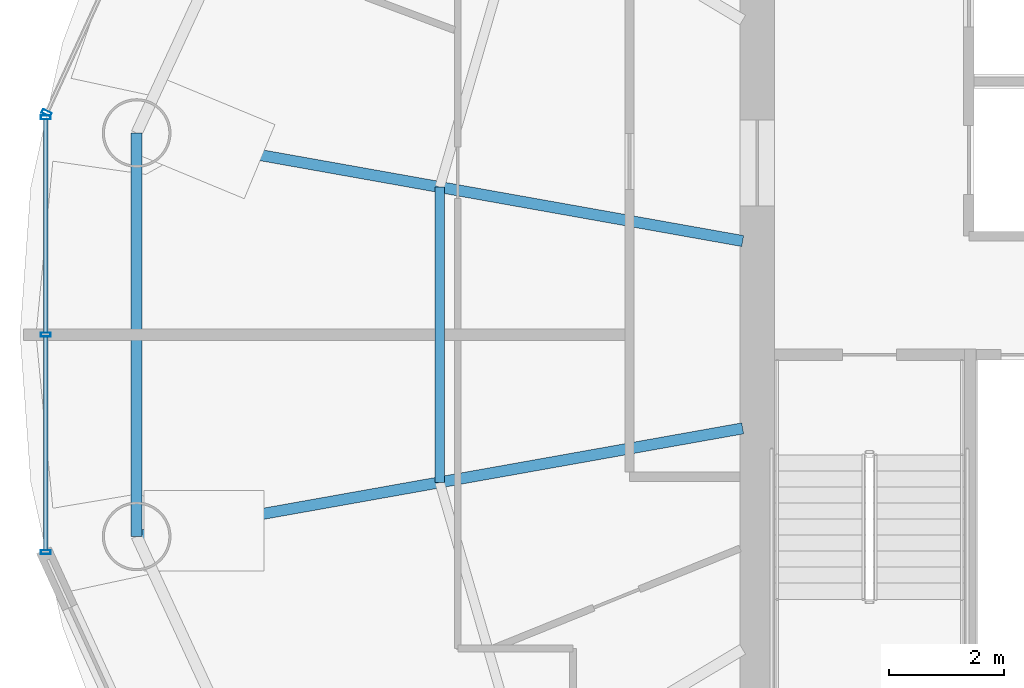
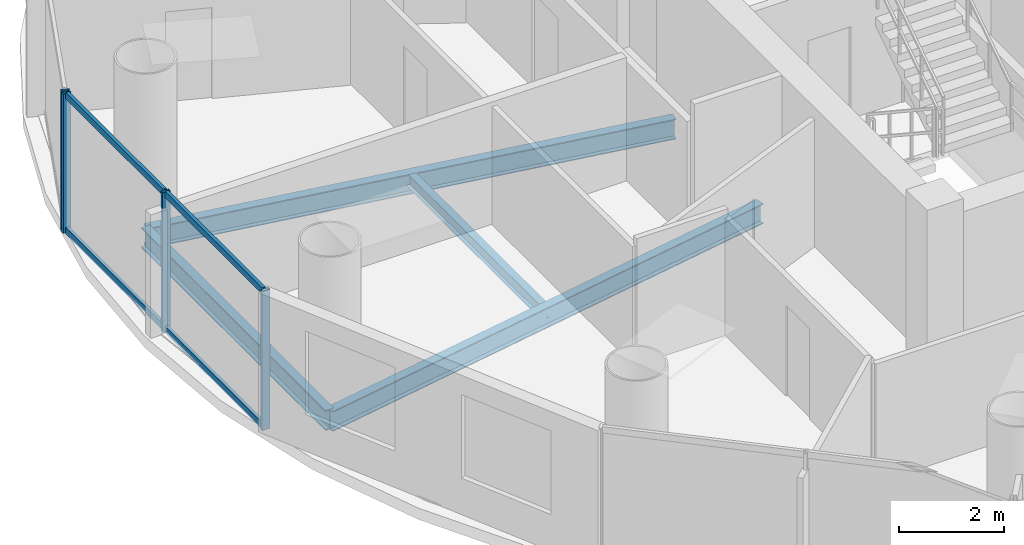
# One storey, part 7 of 26: 8 members, 4 beams, 2 elements without a shape of their own.
"""IFC4 building model written with IfcOpenShell, lengths in metres."""

from ifc_helpers import new_model, si_unit, direction, frame, origin, origin_2d, place, context, subcontext, project, spatial, hollow_rectangle, i_section, extrude, source, transform, mapped, material, material_profile, profile_set, type_object, element, aggregate, save


model = new_model("IFC4")

# Units and contexts
model_context = context("Model", 3, precision=1e-05, world=origin(), true_north=direction((-0.2419218956, 0.970295726276)))
body_context = subcontext(model_context, "Body", "Model", "MODEL_VIEW")
ifc_project = project(units=[si_unit("LENGTHUNIT", "METRE"), si_unit("AREAUNIT", "SQUARE_METRE"), si_unit("VOLUMEUNIT", "CUBIC_METRE"), si_unit("PLANEANGLEUNIT", "RADIAN"), si_unit("MASSUNIT", "GRAM", prefix="KILO")], contexts=[model_context])

# Site, building, storey
site_placement = place(None, origin())
site = spatial("IfcSite", under=ifc_project, at=site_placement, CompositionType="ELEMENT")
building_placement = place(site_placement, origin())
building = spatial("IfcBuilding", under=site, at=building_placement, Name="Cobrevalo Terracotta Tower", CompositionType="ELEMENT")
storey_placement = place(building_placement, frame((0.0, 0.0, 239.300048828125)))
storey = spatial("IfcBuildingStorey", under=building, at=storey_placement, Name="L63", CompositionType="ELEMENT", Elevation=239.300048828125)

# Beams
ifc_material_1 = material(Name="Steel S355", Category="steel")
ifc_material_profile_1 = material_profile(ifc_material_1, i_section(OverallWidth=0.194091796875, OverallDepth=0.468994140625, WebThickness=0.011474609375, FlangeThickness=0.0205078125, at=origin_2d()), Name="W 460x106")
ifc_profile_set_1 = profile_set([ifc_material_profile_1], Name="Steel S355")
beam_type_1 = type_object("IfcBeamType", Name="Structural Beam W 460x106 (Steel S355)", PredefinedType="BEAM", material=ifc_profile_set_1)
for number, where, z_axis, x_axis, name in (
    (1, (18.237060546875, 30.3212890625, -0.49951171875), (0.98449712063, -0.175400739656, 0.0), (0.175400739656, 0.98449712063, 0.0), "L63 radial floor girder 08"),
    (2, (18.237060546875, 23.278564453125, -0.49951171875), (0.984493198547, 0.175422752274, 0.0), (-0.175422752274, 0.984493198547, 0.0), "L63 radial floor girder 09"),
):
    element("IfcBeam", number, at=place(storey_placement, frame(where, z_axis=z_axis, x_axis=x_axis)), inside=storey, type_object=beam_type_1, Name=name, PredefinedType="BEAM", context=body_context, shape_type="SweptSolid", body=[
        extrude(i_section(OverallWidth=0.194091796875, OverallDepth=0.468994140625, WebThickness=0.011474609375, FlangeThickness=0.0205078125, at=origin_2d()), origin(), (0.0, 0.0, 1.0), 10.749755859375),
    ])
ifc_material_profile_2 = material_profile(ifc_material_1, i_section(OverallWidth=0.1650390625, OverallDepth=0.31005859375, WebThickness=0.005859375, FlangeThickness=0.009765625, at=origin_2d()), Name="W 310x38.7")
ifc_profile_set_2 = profile_set([ifc_material_profile_2], Name="Steel S355")
beam_type_2 = type_object("IfcBeamType", Name="Structural Joist W 310x38.7 (Steel S355)", PredefinedType="JOIST", material=ifc_profile_set_2)
beam_1_placement = place(storey_placement, frame((23.528564453125, 29.378662109375, -0.420166015625), z_axis=(0.0, -1.0, 0.0), x_axis=(1.0, 0.0, 0.0)))
element("IfcBeam", 3, at=beam_1_placement, inside=storey, type_object=beam_type_2, Name="L63 circumferential secondary floor joist 08", PredefinedType="JOIST", context=body_context, shape_type="SweptSolid", body=[
    extrude(i_section(OverallWidth=0.1650390625, OverallDepth=0.31005859375, WebThickness=0.005859375, FlangeThickness=0.009765625, at=origin_2d()), origin(), (0.0, 0.0, 1.0), 5.1572265625),
])
ifc_material_profile_3 = material_profile(ifc_material_1, i_section(OverallWidth=0.194091796875, OverallDepth=0.468994140625, WebThickness=0.011474609375, FlangeThickness=0.0205078125, at=origin_2d()), Name="W 460x106")
ifc_profile_set_3 = profile_set([ifc_material_profile_3], Name="Steel S355")
beam_type_3 = type_object("IfcBeamType", Name="Structural Spandrel W 460x106 (Steel S355)", PredefinedType="SPANDREL", material=ifc_profile_set_3)
beam_2_placement = place(storey_placement, frame((18.237060546875, 30.3212890625, -0.49951171875), z_axis=(0.0, -1.0, 0.0), x_axis=(1.0, 0.0, 0.0)))
element("IfcBeam", 4, at=beam_2_placement, inside=storey, type_object=beam_type_3, Name="L63 perimeter ring spandrel 08", PredefinedType="SPANDREL", context=body_context, shape_type="SweptSolid", body=[
    extrude(i_section(OverallWidth=0.194091796875, OverallDepth=0.468994140625, WebThickness=0.011474609375, FlangeThickness=0.0205078125, at=origin_2d()), origin(), (0.0, 0.0, 1.0), 7.042724609375),
])

# Curtain wall, members
ifc_material_2 = material(Name="Anodized aluminium", Category="aluminium")
curtain_wall_type = type_object("IfcCurtainWallType", Name="Mid-tower high-wind unitised curtain wall CW-U2", PredefinedType="NOTDEFINED", material=ifc_material_2)
curtain_wall_1_placement = place(storey_placement, origin())
curtain_wall_1 = element("IfcCurtainWall", 5, at=curtain_wall_1_placement, inside=storey, type_object=curtain_wall_type, Name="L63 curtain wall CW-L63-S08", PredefinedType="NOTDEFINED")
ifc_material_profile_4 = material_profile(ifc_material_2, hollow_rectangle(XDim=0.074951171875, YDim=0.14990234375, WallThickness=0.00439453125, at=origin_2d()), Name="CWT 75x150")
ifc_profile_set_4 = profile_set([ifc_material_profile_4], Name="Anodized aluminium")
member_type_1 = type_object("IfcMemberType", Name="Tower unitised aluminium transom 75x150", PredefinedType="USERDEFINED", material=ifc_profile_set_4)
shared_shape_1 = source(origin(), body_context, "Body", "SweptSolid", [
    extrude(hollow_rectangle(XDim=0.074951171875, YDim=0.14990234375, WallThickness=0.00439453125, at=origin_2d()), origin(), (0.0, 0.0, 1.0), 3.71728515625),
])
member_1_placement = place(storey_placement, frame((16.648193359375, 30.557373046875, 0.050048828125), z_axis=(0.0, -1.0, 0.0), x_axis=(1.0, 0.0, 0.0)))
member_1 = element("IfcMember", 6, at=member_1_placement, type_object=member_type_1, Name="CW-L63-S08 transom B01-T1", ObjectType="TRANSOM", PredefinedType="USERDEFINED", context=body_context, shape_type="MappedRepresentation", body=[
    mapped(shared_shape_1, transform((0.0, 0.0, 0.0), scale=1.0)),
])
member_2_placement = place(storey_placement, frame((16.648193359375, 30.557373046875, 3.199951171875), z_axis=(0.0, -1.0, 0.0), x_axis=(1.0, 0.0, 0.0)))
member_2 = element("IfcMember", 7, at=member_2_placement, type_object=member_type_1, Name="CW-L63-S08 transom B01-T2", ObjectType="TRANSOM", PredefinedType="USERDEFINED", context=body_context, shape_type="MappedRepresentation", body=[
    mapped(shared_shape_1, transform((0.0, 0.0, 0.0), scale=1.0)),
])
shared_shape_2 = source(origin(), body_context, "Body", "SweptSolid", [
    extrude(hollow_rectangle(XDim=0.074951171875, YDim=0.14990234375, WallThickness=0.00439453125, at=origin_2d()), origin(), (0.0, 0.0, 1.0), 3.717529296875),
])
member_3_placement = place(storey_placement, frame((16.648193359375, 26.760009765625, 0.050048828125), z_axis=(0.0, -1.0, 0.0), x_axis=(1.0, 0.0, 0.0)))
member_3 = element("IfcMember", 8, at=member_3_placement, type_object=member_type_1, Name="CW-L63-S08 transom B02-T1", ObjectType="TRANSOM", PredefinedType="USERDEFINED", context=body_context, shape_type="MappedRepresentation", body=[
    mapped(shared_shape_2, transform((0.0, 0.0, 0.0), scale=1.0)),
])
member_4_placement = place(storey_placement, frame((16.648193359375, 26.760009765625, 3.199951171875), z_axis=(0.0, -1.0, 0.0), x_axis=(1.0, 0.0, 0.0)))
member_4 = element("IfcMember", 9, at=member_4_placement, type_object=member_type_1, Name="CW-L63-S08 transom B02-T2", ObjectType="TRANSOM", PredefinedType="USERDEFINED", context=body_context, shape_type="MappedRepresentation", body=[
    mapped(shared_shape_2, transform((0.0, 0.0, 0.0), scale=1.0)),
])

# Curtain wall, member
curtain_wall_2_placement = place(storey_placement, origin())
curtain_wall_2 = element("IfcCurtainWall", 10, at=curtain_wall_2_placement, inside=storey, type_object=curtain_wall_type, Name="L63 curtain wall CW-L63-S07", PredefinedType="NOTDEFINED")
ifc_material_profile_5 = material_profile(ifc_material_2, hollow_rectangle(XDim=0.070068359375, YDim=0.169921875, WallThickness=0.00439453125, at=origin_2d()), Name="CWM 70x170")
ifc_profile_set_5 = profile_set([ifc_material_profile_5], Name="Anodized aluminium")
member_type_2 = type_object("IfcMemberType", Name="Upper tower unitised mullion 70x170", PredefinedType="MULLION", material=ifc_profile_set_5)
shared_shape_3 = source(origin(), body_context, "Body", "SweptSolid", [
    extrude(hollow_rectangle(XDim=0.070068359375, YDim=0.169921875, WallThickness=0.00439453125, at=origin_2d()), origin(), (0.0, 0.0, 1.0), 3.25),
])
member_5_placement = place(storey_placement, frame((16.6650390625, 30.673828125, 0.0), z_axis=(0.0, 0.0, 1.0), x_axis=(-0.41672507912, -0.909032567311, 0.0)))
member_5 = element("IfcMember", 11, at=member_5_placement, type_object=member_type_2, Name="CW-L63-S07 vertical mullion 03", PredefinedType="MULLION", context=body_context, shape_type="MappedRepresentation", body=[
    mapped(shared_shape_3, transform((0.0, 0.0, 0.0), scale=1.0)),
])
aggregate(curtain_wall_2, [member_5])

# Member
member_6_placement = place(storey_placement, frame((16.648193359375, 30.597412109375, 0.0), z_axis=(0.0, 0.0, 1.0), x_axis=(0.0, -1.0, 0.0)))
member_6 = element("IfcMember", 12, at=member_6_placement, type_object=member_type_2, Name="CW-L63-S08 vertical mullion 01", PredefinedType="MULLION", context=body_context, shape_type="MappedRepresentation", body=[
    mapped(shared_shape_3, transform((0.0, 0.0, 0.0), scale=1.0)),
])

member_7_placement = place(storey_placement, frame((16.648193359375, 26.800048828125, 0.0), z_axis=(0.0, 0.0, 1.0), x_axis=(0.0, -1.0, 0.0)))
member_7 = element("IfcMember", 13, at=member_7_placement, type_object=member_type_2, Name="CW-L63-S08 vertical mullion 02", PredefinedType="MULLION", context=body_context, shape_type="MappedRepresentation", body=[
    mapped(shared_shape_3, transform((0.0, 0.0, 0.0), scale=1.0)),
])

member_8_placement = place(storey_placement, frame((16.648193359375, 23.002685546875, 0.0), z_axis=(0.0, 0.0, 1.0), x_axis=(0.0, -1.0, 0.0)))
member_8 = element("IfcMember", 14, at=member_8_placement, type_object=member_type_2, Name="CW-L63-S08 vertical mullion 03", PredefinedType="MULLION", context=body_context, shape_type="MappedRepresentation", body=[
    mapped(shared_shape_3, transform((0.0, 0.0, 0.0), scale=1.0)),
])

aggregate(curtain_wall_1, [member_6, member_7, member_8, member_1, member_2, member_3, member_4])

save(model, "model.ifc")
